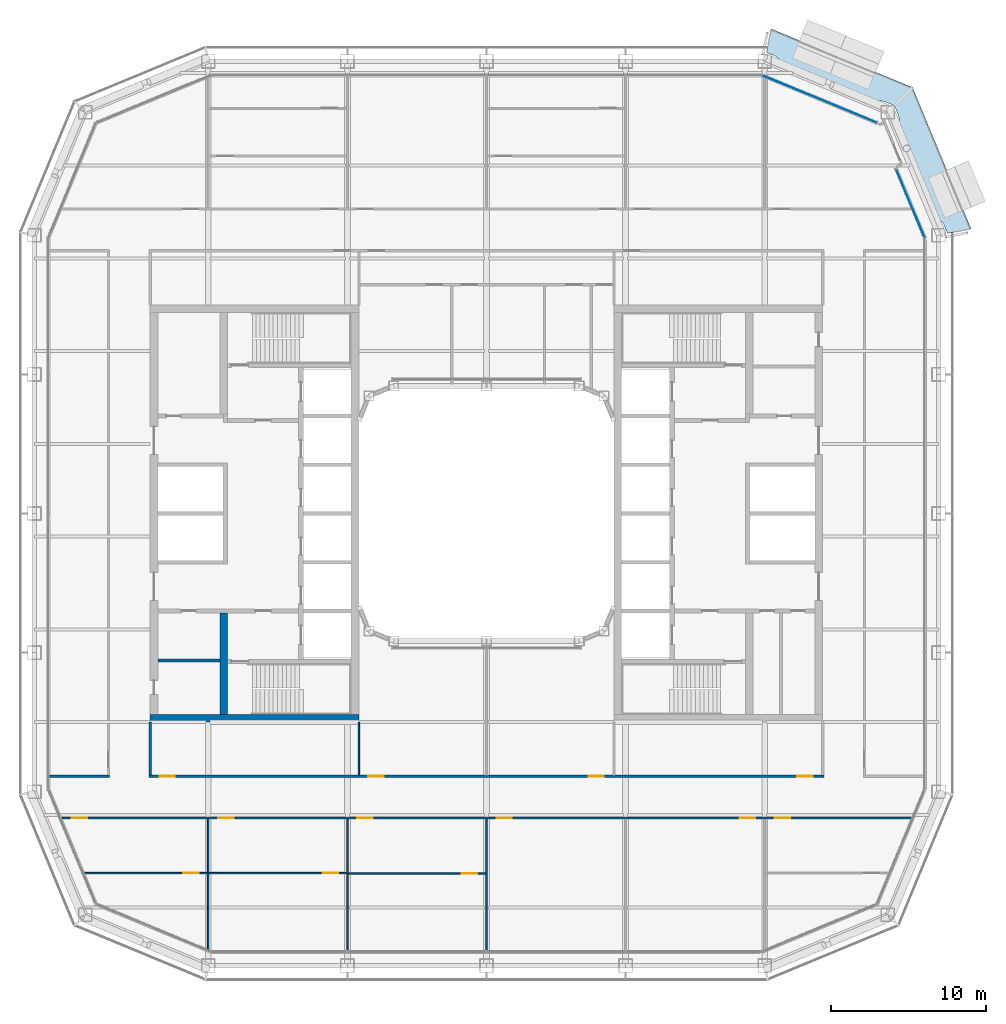
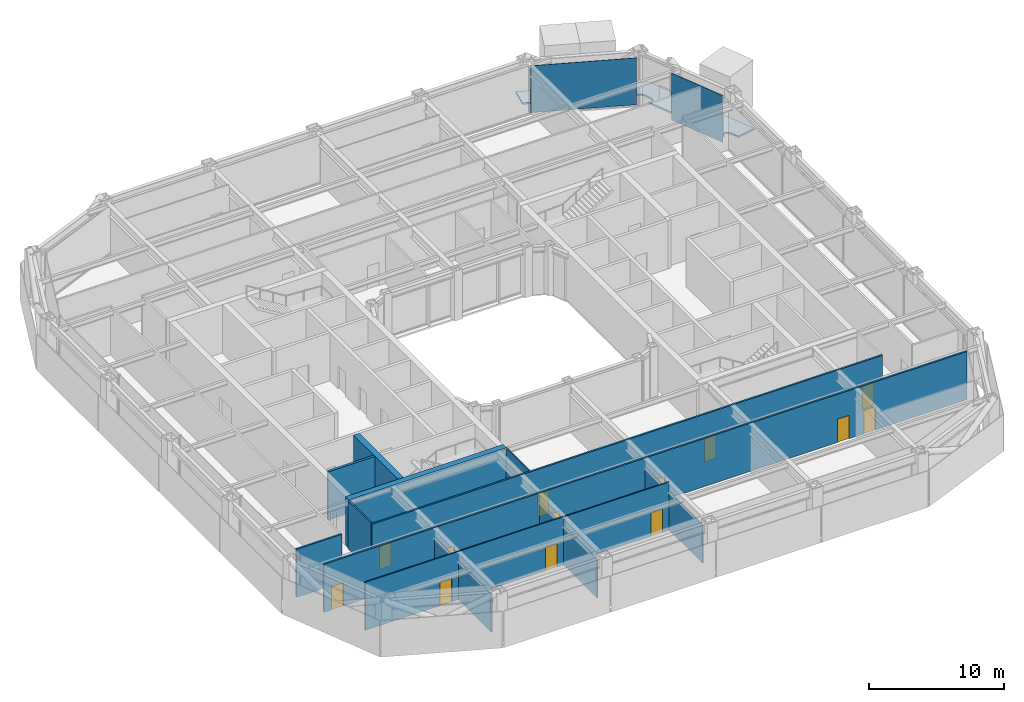
# One storey, part 11 of 24: 14 walls, 13 doors, 2 plates, 1 slab, 13 openings, 2 elements without a shape of their own.
"""IFC4 building model written with IfcOpenShell, lengths in metres."""

from ifc_helpers import new_model, si_unit, direction, frame, frame_2d, origin, origin_2d, place, context, subcontext, project, spatial, polyline, rectangle, outline, extrude, material, layer, layer_set, type_object, element, fill, aggregate, save


model = new_model("IFC4")

# Units and contexts
model_context = context("Model", 3, precision=1e-05, world=origin(), true_north=direction((0.0, 1.0)))
body_context = subcontext(model_context, "Body", "Model", "MODEL_VIEW")
ifc_project = project(units=[si_unit("LENGTHUNIT", "METRE"), si_unit("AREAUNIT", "SQUARE_METRE"), si_unit("VOLUMEUNIT", "CUBIC_METRE"), si_unit("PLANEANGLEUNIT", "RADIAN"), si_unit("MASSUNIT", "GRAM", prefix="KILO")], contexts=[model_context])

# Site, building, storey
site_placement = place(None, origin())
site = spatial("IfcSite", under=ifc_project, at=site_placement, CompositionType="ELEMENT")
building_placement = place(site_placement, origin())
building = spatial("IfcBuilding", under=site, at=building_placement, Name="Siwar Civic Tower", CompositionType="ELEMENT")
storey_placement = place(building_placement, frame((0.0, 0.0, 149.699951171875)))
storey = spatial("IfcBuildingStorey", under=building, at=storey_placement, Name="L32", CompositionType="ELEMENT", Elevation=149.699951171875)

# Slab
ifc_material_1 = material(Name="Concrete C40/50", Category="concrete")
ifc_layer_1 = layer(ifc_material_1, 0.14990234375)
ifc_layer_set_1 = layer_set([ifc_layer_1], Name="Concrete C40/50")
slab_type = type_object("IfcSlabType", Name="ENV-BALCONY DECK 150", PredefinedType="FLOOR", material=ifc_layer_set_1)
slab_placement = place(storey_placement, frame((0.0, 0.0, -0.1494140625)))
element("IfcSlab", 1, at=slab_placement, inside=storey, type_object=slab_type, Name="Tree balcony deck NE", PredefinedType="FLOOR", context=body_context, shape_type="SweptSolid", body=[
    extrude(outline(polyline([(26.43310546875, 26.263427734375), (26.435546875, 26.258056640625), (26.435546875, 26.258056640625), (26.44580078125, 26.2333984375), (26.479736328125, 26.151611328125), (26.575439453125, 25.921875), (26.585693359375, 25.897216796875), (26.589111328125, 25.88916015625), (26.58984375, 25.88720703125), (26.617431640625, 25.81494140625), (26.619140625, 25.81005859375), (26.639404296875, 25.74462890625), (26.640625, 25.740234375), (26.65673828125, 25.673583984375), (26.65771484375, 25.669189453125), (26.669921875, 25.601806640625), (26.67041015625, 25.59765625), (26.6787109375, 25.529541015625), (26.67919921875, 25.523681640625), (26.67919921875, 25.517578125), (26.6748046875, 25.406005859375), (26.674072265625, 25.397216796875), (26.672119140625, 25.388671875), (26.66015625, 25.345703125), (26.65869140625, 25.34130859375), (26.64404296875, 25.299072265625), (26.640869140625, 25.29150390625), (26.63720703125, 25.284423828125), (26.61669921875, 25.251220703125), (26.614501953125, 25.247802734375), (26.59228515625, 25.216064453125), (26.58740234375, 25.209716796875), (26.581787109375, 25.203857421875), (26.575439453125, 25.19873046875), (26.56884765625, 25.1943359375), (26.561767578125, 25.190673828125), (26.531494140625, 25.177001953125), (26.52734375, 25.17529296875), (26.496337890625, 25.16357421875), (26.488525390625, 25.1611328125), (26.480712890625, 25.159423828125), (26.47265625, 25.15869140625), (26.464599609375, 25.15869140625), (26.456787109375, 25.15966796875), (26.418701171875, 25.166259765625), (26.41455078125, 25.167236328125), (26.376708984375, 25.176025390625), (26.368896484375, 25.17822265625), (26.361328125, 25.181396484375), (26.321044921875, 25.20068359375), (26.31689453125, 25.202880859375), (26.27783203125, 25.224609375), (26.2705078125, 25.2294921875), (26.263671875, 25.23486328125), (26.246826171875, 25.25048828125), (28.949951171875, 18.724609375), (28.951904296875, 18.77490234375), (28.95263671875, 18.783447265625), (28.95458984375, 18.7919921875), (28.966552734375, 18.835205078125), (28.968017578125, 18.839599609375), (28.982666015625, 18.8818359375), (28.98583984375, 18.889404296875), (28.98974609375, 18.896484375), (29.010009765625, 18.9296875), (29.013916015625, 18.935302734375), (29.018310546875, 18.940673828125), (29.023193359375, 18.945556640625), (29.048583984375, 18.968994140625), (29.052001953125, 18.971923828125), (29.078857421875, 18.99365234375), (29.084716796875, 18.998046875), (29.0908203125, 19.001708984375), (29.097412109375, 19.0048828125), (29.104248046875, 19.00732421875), (29.111083984375, 19.009033203125), (29.118408203125, 19.01025390625), (29.15283203125, 19.013671875), (29.1572265625, 19.01416015625), (29.19189453125, 19.015625), (29.19873046875, 19.015625), (29.20556640625, 19.01513671875), (29.21240234375, 19.013671875), (29.25, 19.0048828125), (29.2578125, 19.002685546875), (29.265380859375, 18.99951171875), (29.305908203125, 18.980224609375), (29.309814453125, 18.97802734375), (29.348876953125, 18.956298828125), (29.356201171875, 18.951416015625), (29.363037109375, 18.946044921875), (29.4453125, 18.870361328125), (29.44970703125, 18.865966796875), (29.453369140625, 18.861572265625), (29.495849609375, 18.8076171875), (29.498291015625, 18.80419921875), (29.53759765625, 18.748046875), (29.5400390625, 18.744384765625), (29.575927734375, 18.68603515625), (29.578369140625, 18.681884765625), (29.610595703125, 18.62158203125), (29.61279296875, 18.616943359375), (29.64453125, 18.54638671875), (29.645263671875, 18.54443359375), (29.665771484375, 18.4951171875), (29.6845703125, 18.449951171875), (29.699951171875, 18.449951171875), (29.699951171875, 18.412841796875), (29.740966796875, 18.314697265625), (29.775146484375, 18.232666015625), (29.788818359375, 18.19970703125), (29.798828125, 18.175048828125), (29.798828125, 18.175048828125), (29.8017578125, 18.16748046875), (29.807373046875, 18.148193359375), (29.80908203125, 18.140625), (29.81005859375, 18.1328125), (29.8115234375, 18.1123046875), (29.8115234375, 18.11181640625), (31.35009765625, 18.417724609375), (27.562255859375, 27.562255859375), (18.417724609375, 31.35009765625), (18.111083984375, 29.80810546875), (18.114013671875, 29.808349609375), (18.13037109375, 29.80859375), (18.136962890625, 29.808349609375), (18.1435546875, 29.8076171875), (18.150146484375, 29.80615234375), (18.1650390625, 29.80224609375), (18.175048828125, 29.798828125), (18.19970703125, 29.788818359375), (18.279052734375, 29.755615234375), (18.314697265625, 29.740966796875), (18.412841796875, 29.699951171875), (18.449951171875, 29.699951171875), (18.449951171875, 29.6845703125), (18.4951171875, 29.665771484375), (18.54443359375, 29.645263671875), (18.54638671875, 29.64453125), (18.616943359375, 29.61279296875), (18.62158203125, 29.610595703125), (18.681884765625, 29.578369140625), (18.68603515625, 29.575927734375), (18.744384765625, 29.5400390625), (18.748046875, 29.53759765625), (18.80419921875, 29.498291015625), (18.8076171875, 29.495849609375), (18.861572265625, 29.453369140625), (18.865966796875, 29.44970703125), (18.870361328125, 29.4453125), (18.946044921875, 29.363037109375), (18.951416015625, 29.356201171875), (18.956298828125, 29.348876953125), (18.97802734375, 29.309814453125), (18.980224609375, 29.305908203125), (18.99951171875, 29.265380859375), (19.002685546875, 29.2578125), (19.0048828125, 29.25), (19.013671875, 29.21240234375), (19.01513671875, 29.20556640625), (19.015625, 29.19873046875), (19.015625, 29.19189453125), (19.01416015625, 29.1572265625), (19.013671875, 29.15283203125), (19.01025390625, 29.118408203125), (19.009033203125, 29.111083984375), (19.00732421875, 29.104248046875), (19.0048828125, 29.097412109375), (19.001708984375, 29.0908203125), (18.998046875, 29.084716796875), (18.99365234375, 29.078857421875), (18.971923828125, 29.052001953125), (18.968994140625, 29.048583984375), (18.945556640625, 29.023193359375), (18.940673828125, 29.018310546875), (18.935302734375, 29.013916015625), (18.9296875, 29.010009765625), (18.896484375, 28.98974609375), (18.889404296875, 28.98583984375), (18.8818359375, 28.982666015625), (18.839599609375, 28.968017578125), (18.835205078125, 28.966552734375), (18.7919921875, 28.95458984375), (18.783447265625, 28.95263671875), (18.77490234375, 28.951904296875), (18.724609375, 28.949951171875), (25.25048828125, 26.246826171875), (25.23486328125, 26.263671875), (25.2294921875, 26.2705078125), (25.224609375, 26.27783203125), (25.202880859375, 26.31689453125), (25.20068359375, 26.321044921875), (25.181396484375, 26.361328125), (25.17822265625, 26.368896484375), (25.176025390625, 26.376708984375), (25.167236328125, 26.41455078125), (25.166259765625, 26.418701171875), (25.15966796875, 26.456787109375), (25.15869140625, 26.464599609375), (25.15869140625, 26.47265625), (25.159423828125, 26.480712890625), (25.1611328125, 26.488525390625), (25.16357421875, 26.496337890625), (25.17529296875, 26.52734375), (25.177001953125, 26.531494140625), (25.190673828125, 26.561767578125), (25.1943359375, 26.56884765625), (25.19873046875, 26.575439453125), (25.203857421875, 26.581787109375), (25.209716796875, 26.58740234375), (25.216064453125, 26.59228515625), (25.247802734375, 26.614501953125), (25.251220703125, 26.61669921875), (25.284423828125, 26.63720703125), (25.29150390625, 26.640869140625), (25.299072265625, 26.64404296875), (25.34130859375, 26.65869140625), (25.345703125, 26.66015625), (25.388671875, 26.672119140625), (25.397216796875, 26.674072265625), (25.406005859375, 26.6748046875), (25.517578125, 26.67919921875), (25.523681640625, 26.67919921875), (25.529541015625, 26.6787109375), (25.59765625, 26.67041015625), (25.601806640625, 26.669921875), (25.669189453125, 26.65771484375), (25.673583984375, 26.65673828125), (25.740234375, 26.640625), (25.74462890625, 26.639404296875), (25.81005859375, 26.619140625), (25.81494140625, 26.617431640625), (25.88720703125, 26.58984375), (25.88916015625, 26.589111328125), (25.897216796875, 26.585693359375), (25.921875, 26.575439453125), (26.151611328125, 26.479736328125), (26.2333984375, 26.44580078125), (26.258056640625, 26.435546875), (26.267578125, 26.4306640625), (26.28076171875, 26.4228515625), (26.286376953125, 26.419189453125), (26.291748046875, 26.4150390625), (26.296630859375, 26.410400390625), (26.3017578125, 26.405029296875), (26.405029296875, 26.405029296875), (26.405029296875, 26.311279296875), (26.414306640625, 26.29833984375), (26.41748046875, 26.293701171875), (26.420166015625, 26.28857421875), (26.43310546875, 26.263427734375)])), origin(), (0.0, 0.0, 1.0), 0.1494140625),
])

# Curtain wall, plate
ifc_material_2 = material(Name="Aluminium clad insulated panel", Category="aluminium")
ifc_layer_2 = layer(ifc_material_2, 0.199951171875)
ifc_layer_set_2 = layer_set([ifc_layer_2], Name="Aluminium clad insulated panel")
curtain_wall_type = type_object("IfcCurtainWallType", Name="ENV-CW-BX", PredefinedType="NOTDEFINED", material=ifc_layer_set_2)
curtain_wall_1_placement = place(storey_placement, origin())
curtain_wall_1 = element("IfcCurtainWall", 2, at=curtain_wall_1_placement, inside=storey, type_object=curtain_wall_type, Name="Curtain wall B NE1", PredefinedType="NOTDEFINED")
ifc_material_3 = material(Name="Aluminium clad insulated panel", Category="aluminium")
ifc_layer_3 = layer(ifc_material_3, 0.033935546875)
ifc_layer_set_3 = layer_set([ifc_layer_3], Name="Aluminium clad insulated panel")
plate_type = type_object("IfcPlateType", Name="ENV-PANEL-BX", PredefinedType="CURTAIN_PANEL", material=ifc_layer_set_3)
plate_1_placement = place(storey_placement, frame((27.422607421875, 20.06005859375, 0.10986328125), z_axis=(0.0, 0.0, 1.0), x_axis=(-0.382683432365, 0.923879532511, 0.0)))
plate_1 = element("IfcPlate", 3, at=plate_1_placement, type_object=plate_type, Name="Curtain panel B NE1 1", PredefinedType="CURTAIN_PANEL", context=body_context, shape_type="SweptSolid", body=[
    extrude(rectangle(XDim=4.7822265625, YDim=0.033935546875, at=origin_2d()), origin(), (0.0, 0.0, 1.0), 4.239990234375),
])
aggregate(curtain_wall_1, [plate_1])

curtain_wall_2_placement = place(storey_placement, origin())
curtain_wall_2 = element("IfcCurtainWall", 4, at=curtain_wall_2_placement, inside=storey, type_object=curtain_wall_type, Name="Curtain wall B NE2", PredefinedType="NOTDEFINED")
plate_2_placement = place(storey_placement, frame((21.5810546875, 26.79248046875, 0.10986328125), z_axis=(0.0, 0.0, 1.0), x_axis=(-0.923879532511, 0.382683432365, 0.0)))
plate_2 = element("IfcPlate", 5, at=plate_2_placement, type_object=plate_type, Name="Curtain panel B NE2 1", PredefinedType="CURTAIN_PANEL", context=body_context, shape_type="SweptSolid", body=[
    extrude(rectangle(XDim=7.912353515625, YDim=0.033935546875, at=origin_2d()), origin(), (0.0, 0.0, 1.0), 4.239990234375),
])
aggregate(curtain_wall_2, [plate_2])

# Walls
ifc_material_4 = material(Name="Gypsum board on steel studs", Category="steel")
ifc_layer_4 = layer(ifc_material_4, 0.199951171875)
ifc_layer_set_4 = layer_set([ifc_layer_4], Name="Gypsum board on steel studs")
wall_type_1 = type_object("IfcWallType", Name="CORE-PARTITION-200", PredefinedType="PARTITIONING", material=ifc_layer_set_4)
wall_1_placement = place(storey_placement, frame((-17.25, -9.5, 0.0), z_axis=(0.0, 0.0, 1.0), x_axis=(-1.0, 0.0, 0.0)))
element("IfcWall", 6, at=wall_1_placement, inside=storey, type_object=wall_type_1, Name="Core partition W", PredefinedType="PARTITIONING", context=body_context, shape_type="SweptSolid", body=[
    extrude(rectangle(XDim=4.0, YDim=0.199951171875, at=frame_2d((2.0, 0.0))), origin(), (0.0, 0.0, 1.0), 4.35009765625),
])
ifc_material_5 = material(Name="Concrete C60/75", Category="concrete")
ifc_layer_5 = layer(ifc_material_5, 0.5)
ifc_layer_set_5 = layer_set([ifc_layer_5], Name="Concrete C60/75")
wall_type_2 = type_object("IfcWallType", Name="CORE-WALL-RC500", PredefinedType="SHEAR", material=ifc_layer_set_5)
wall_2_placement = place(storey_placement, frame((-17.0, -13.0, 0.0), z_axis=(0.0, 0.0, 1.0), x_axis=(0.0, 1.0, 0.0)))
element("IfcWall", 7, at=wall_2_placement, inside=storey, type_object=wall_type_2, Name="Core wall W", PredefinedType="SHEAR", context=body_context, shape_type="SweptSolid", body=[
    extrude(rectangle(XDim=6.574951171875, YDim=0.5, at=frame_2d((3.28759765625, 0.0))), origin(), (0.0, 0.0, 1.0), 4.35009765625),
])
wall_3_placement = place(storey_placement, frame((-8.25, -13.25, 0.0), z_axis=(0.0, 0.0, 1.0), x_axis=(-1.0, 0.0, 0.0)))
element("IfcWall", 8, at=wall_3_placement, inside=storey, type_object=wall_type_2, Name="Core wall W", PredefinedType="SHEAR", context=body_context, shape_type="SweptSolid", body=[
    extrude(rectangle(XDim=13.5, YDim=0.5, at=frame_2d((6.75, 0.0))), origin(), (0.0, 0.0, 1.0), 4.35009765625),
])

# Wall, openings, doors
ifc_material_6 = material(Name="Gypsum board on steel studs", Category="steel")
ifc_layer_6 = layer(ifc_material_6, 0.14990234375)
ifc_layer_set_6 = layer_set([ifc_layer_6], Name="Gypsum board on steel studs")
wall_type_3 = type_object("IfcWallType", Name="CORRIDOR PARTITION 150 EI 30", PredefinedType="PARTITIONING", material=ifc_layer_set_6)
wall_4_placement = place(storey_placement, frame((-27.47412109375, -19.699951171875, 0.0), z_axis=(0.0, 0.0, 1.0), x_axis=(1.0, 0.0, 0.0)))
wall_4 = element("IfcWall", 9, at=wall_4_placement, inside=storey, type_object=wall_type_3, Name="L32/wall/P04", PredefinedType="PARTITIONING", context=body_context, shape_type="SweptSolid", body=[
    extrude(rectangle(XDim=54.9482421875, YDim=0.14990234375, at=frame_2d((27.47412109375, 0.0))), origin(), (0.0, 0.0, 1.0), 4.35009765625),
])
opening_1_placement = place(wall_4_placement, frame((10.1240234375, 0.0, 0.0)))
opening_1 = element("IfcOpeningElement", 10, at=opening_1_placement, cuts=wall_4, Name="Opening D1", PredefinedType="OPENING", context=body_context, shape_type="SweptSolid", body=[
    extrude(rectangle(XDim=1.0, YDim=2.10009765625, at=frame_2d((0.5, 1.050048828125))), frame((0.0, 0.0849609375, 0.0), z_axis=(0.0, -1.0, 0.0), x_axis=(1.0, 0.0, 0.0)), (0.0, 0.0, 1.0), 0.169921875),
])
opening_2_placement = place(wall_4_placement, frame((19.1240234375, 0.0, 0.0)))
opening_2 = element("IfcOpeningElement", 11, at=opening_2_placement, cuts=wall_4, Name="Opening D1", PredefinedType="OPENING", context=body_context, shape_type="SweptSolid", body=[
    extrude(rectangle(XDim=1.0, YDim=2.10009765625, at=frame_2d((0.5, 1.050048828125))), frame((0.0, 0.0849609375, 0.0), z_axis=(0.0, -1.0, 0.0), x_axis=(1.0, 0.0, 0.0)), (0.0, 0.0, 1.0), 0.169921875),
])
opening_3_placement = place(wall_4_placement, frame((28.1240234375, 0.0, 0.0)))
opening_3 = element("IfcOpeningElement", 12, at=opening_3_placement, cuts=wall_4, Name="Opening D1", PredefinedType="OPENING", context=body_context, shape_type="SweptSolid", body=[
    extrude(rectangle(XDim=1.0, YDim=2.10009765625, at=frame_2d((0.5, 1.050048828125))), frame((0.0, 0.0849609375, 0.0), z_axis=(0.0, -1.0, 0.0), x_axis=(1.0, 0.0, 0.0)), (0.0, 0.0, 1.0), 0.169921875),
])
opening_4_placement = place(wall_4_placement, frame((43.8740234375, 0.0, 0.0)))
opening_4 = element("IfcOpeningElement", 13, at=opening_4_placement, cuts=wall_4, Name="Opening D1", PredefinedType="OPENING", context=body_context, shape_type="SweptSolid", body=[
    extrude(rectangle(XDim=1.0, YDim=2.10009765625, at=frame_2d((0.5, 1.050048828125))), frame((0.0, 0.0849609375, 0.0), z_axis=(0.0, -1.0, 0.0), x_axis=(1.0, 0.0, 0.0)), (0.0, 0.0, 1.0), 0.169921875),
])
opening_5_placement = place(wall_4_placement, frame((0.64990234375, 0.0, 0.0)))
opening_5 = element("IfcOpeningElement", 14, at=opening_5_placement, cuts=wall_4, Name="Opening D1", PredefinedType="OPENING", context=body_context, shape_type="SweptSolid", body=[
    extrude(rectangle(XDim=1.0, YDim=2.10009765625, at=frame_2d((0.5, 1.050048828125))), frame((0.0, 0.0849609375, 0.0), z_axis=(0.0, -1.0, 0.0), x_axis=(1.0, 0.0, 0.0)), (0.0, 0.0, 1.0), 0.169921875),
])
opening_6_placement = place(wall_4_placement, frame((46.1240234375, 0.0, 0.0)))
opening_6 = element("IfcOpeningElement", 15, at=opening_6_placement, cuts=wall_4, Name="Opening D1", PredefinedType="OPENING", context=body_context, shape_type="SweptSolid", body=[
    extrude(rectangle(XDim=1.0, YDim=2.10009765625, at=frame_2d((0.5, 1.050048828125))), frame((0.0, 0.0849609375, 0.0), z_axis=(0.0, -1.0, 0.0), x_axis=(1.0, 0.0, 0.0)), (0.0, 0.0, 1.0), 0.169921875),
])
ifc_material_7 = material(Name="Timber, painted", Category="wood")
door_type_1 = type_object("IfcDoorType", Name="DOOR 1000 X 2100 FD30", OperationType="SINGLE_SWING_LEFT", PredefinedType="DOOR", material=ifc_material_7)
door_1_placement = place(opening_1_placement, origin())
door_1 = element("IfcDoor", 16, at=door_1_placement, inside=storey, type_object=door_type_1, Name="L32-D09", OperationType="SINGLE_SWING_LEFT", OverallHeight=2.10009765625, OverallWidth=1.0, PredefinedType="DOOR", context=body_context, shape_type="SweptSolid", body=[
    extrude(rectangle(XDim=1.0, YDim=2.10009765625, at=frame_2d((0.5, 1.050048828125))), frame((0.0, 0.02490234375, 0.0), z_axis=(0.0, -1.0, 0.0), x_axis=(1.0, 0.0, 0.0)), (0.0, 0.0, 1.0), 0.050048828125),
])
fill(opening_1, door_1)
door_2_placement = place(opening_2_placement, origin())
door_2 = element("IfcDoor", 17, at=door_2_placement, inside=storey, type_object=door_type_1, Name="L32-D11", OperationType="SINGLE_SWING_LEFT", OverallHeight=2.10009765625, OverallWidth=1.0, PredefinedType="DOOR", context=body_context, shape_type="SweptSolid", body=[
    extrude(rectangle(XDim=1.0, YDim=2.10009765625, at=frame_2d((0.5, 1.050048828125))), frame((0.0, 0.02490234375, 0.0), z_axis=(0.0, -1.0, 0.0), x_axis=(1.0, 0.0, 0.0)), (0.0, 0.0, 1.0), 0.050048828125),
])
fill(opening_2, door_2)
door_3_placement = place(opening_3_placement, origin())
door_3 = element("IfcDoor", 18, at=door_3_placement, inside=storey, type_object=door_type_1, Name="L32-D13", OperationType="SINGLE_SWING_LEFT", OverallHeight=2.10009765625, OverallWidth=1.0, PredefinedType="DOOR", context=body_context, shape_type="SweptSolid", body=[
    extrude(rectangle(XDim=1.0, YDim=2.10009765625, at=frame_2d((0.5, 1.050048828125))), frame((0.0, 0.02490234375, 0.0), z_axis=(0.0, -1.0, 0.0), x_axis=(1.0, 0.0, 0.0)), (0.0, 0.0, 1.0), 0.050048828125),
])
fill(opening_3, door_3)
door_4_placement = place(opening_4_placement, origin())
door_4 = element("IfcDoor", 19, at=door_4_placement, inside=storey, type_object=door_type_1, Name="L32-D14", OperationType="SINGLE_SWING_RIGHT", OverallHeight=2.10009765625, OverallWidth=1.0, PredefinedType="DOOR", context=body_context, shape_type="SweptSolid", body=[
    extrude(rectangle(XDim=1.0, YDim=2.10009765625, at=frame_2d((0.5, 1.050048828125))), frame((0.0, 0.02490234375, 0.0), z_axis=(0.0, -1.0, 0.0), x_axis=(1.0, 0.0, 0.0)), (0.0, 0.0, 1.0), 0.050048828125),
])
fill(opening_4, door_4)
door_5_placement = place(opening_5_placement, origin())
door_5 = element("IfcDoor", 20, at=door_5_placement, inside=storey, type_object=door_type_1, Name="L32-D17", OperationType="SINGLE_SWING_LEFT", OverallHeight=2.10009765625, OverallWidth=1.0, PredefinedType="DOOR", context=body_context, shape_type="SweptSolid", body=[
    extrude(rectangle(XDim=1.0, YDim=2.10009765625, at=frame_2d((0.5, 1.050048828125))), frame((0.0, 0.02490234375, 0.0), z_axis=(0.0, -1.0, 0.0), x_axis=(1.0, 0.0, 0.0)), (0.0, 0.0, 1.0), 0.050048828125),
])
fill(opening_5, door_5)
door_6_placement = place(opening_6_placement, origin())
door_6 = element("IfcDoor", 21, at=door_6_placement, inside=storey, type_object=door_type_1, Name="L32-D19", OperationType="SINGLE_SWING_LEFT", OverallHeight=2.10009765625, OverallWidth=1.0, PredefinedType="DOOR", context=body_context, shape_type="SweptSolid", body=[
    extrude(rectangle(XDim=1.0, YDim=2.10009765625, at=frame_2d((0.5, 1.050048828125))), frame((0.0, 0.02490234375, 0.0), z_axis=(0.0, -1.0, 0.0), x_axis=(1.0, 0.0, 0.0)), (0.0, 0.0, 1.0), 0.050048828125),
])
fill(opening_6, door_6)

# Wall
wall_5_placement = place(storey_placement, frame((-28.260009765625, -17.0, 0.0), z_axis=(0.0, 0.0, 1.0), x_axis=(1.0, 0.0, 0.0)))
element("IfcWall", 22, at=wall_5_placement, inside=storey, type_object=wall_type_3, Name="L32/wall/P05", PredefinedType="PARTITIONING", context=body_context, shape_type="SweptSolid", body=[
    extrude(rectangle(XDim=3.885009765625, YDim=0.14990234375, at=frame_2d((1.9423828125, 0.0))), origin(), (0.0, 0.0, 1.0), 4.35009765625),
])

# Wall, openings, doors
wall_6_placement = place(storey_placement, frame((-21.824951171875, -17.0, 0.0), z_axis=(0.0, 0.0, 1.0), x_axis=(1.0, 0.0, 0.0)))
wall_6 = element("IfcWall", 23, at=wall_6_placement, inside=storey, type_object=wall_type_3, Name="L32/wall/P06", PredefinedType="PARTITIONING", context=body_context, shape_type="SweptSolid", body=[
    extrude(rectangle(XDim=43.64990234375, YDim=0.14990234375, at=frame_2d((21.824951171875, 0.0))), origin(), (0.0, 0.0, 1.0), 4.35009765625),
])
opening_7_placement = place(wall_6_placement, frame((14.175048828125, 0.0, 0.0)))
opening_7 = element("IfcOpeningElement", 24, at=opening_7_placement, cuts=wall_6, Name="Opening D1", PredefinedType="OPENING", context=body_context, shape_type="SweptSolid", body=[
    extrude(rectangle(XDim=1.0, YDim=2.10009765625, at=frame_2d((0.5, 1.050048828125))), frame((0.0, 0.0849609375, 0.0), z_axis=(0.0, -1.0, 0.0), x_axis=(1.0, 0.0, 0.0)), (0.0, 0.0, 1.0), 0.169921875),
])
opening_8_placement = place(wall_6_placement, frame((28.425048828125, 0.0, 0.0)))
opening_8 = element("IfcOpeningElement", 25, at=opening_8_placement, cuts=wall_6, Name="Opening D1", PredefinedType="OPENING", context=body_context, shape_type="SweptSolid", body=[
    extrude(rectangle(XDim=1.0, YDim=2.10009765625, at=frame_2d((0.5, 1.050048828125))), frame((0.0, 0.0849609375, 0.0), z_axis=(0.0, -1.0, 0.0), x_axis=(1.0, 0.0, 0.0)), (0.0, 0.0, 1.0), 0.169921875),
])
opening_9_placement = place(wall_6_placement, frame((0.675048828125, 0.0, 0.0)))
opening_9 = element("IfcOpeningElement", 26, at=opening_9_placement, cuts=wall_6, Name="Opening D1", PredefinedType="OPENING", context=body_context, shape_type="SweptSolid", body=[
    extrude(rectangle(XDim=1.0, YDim=2.10009765625, at=frame_2d((0.5, 1.050048828125))), frame((0.0, 0.0849609375, 0.0), z_axis=(0.0, -1.0, 0.0), x_axis=(1.0, 0.0, 0.0)), (0.0, 0.0, 1.0), 0.169921875),
])
opening_10_placement = place(wall_6_placement, frame((41.925048828125, 0.0, 0.0)))
opening_10 = element("IfcOpeningElement", 27, at=opening_10_placement, cuts=wall_6, Name="Opening D1", PredefinedType="OPENING", context=body_context, shape_type="SweptSolid", body=[
    extrude(rectangle(XDim=1.0, YDim=2.10009765625, at=frame_2d((0.5, 1.050048828125))), frame((0.0, 0.0849609375, 0.0), z_axis=(0.0, -1.0, 0.0), x_axis=(1.0, 0.0, 0.0)), (0.0, 0.0, 1.0), 0.169921875),
])
door_7_placement = place(opening_7_placement, origin())
door_7 = element("IfcDoor", 28, at=door_7_placement, inside=storey, type_object=door_type_1, Name="L32-D26", OperationType="SINGLE_SWING_RIGHT", OverallHeight=2.10009765625, OverallWidth=1.0, PredefinedType="DOOR", context=body_context, shape_type="SweptSolid", body=[
    extrude(rectangle(XDim=1.0, YDim=2.10009765625, at=frame_2d((0.5, 1.050048828125))), frame((0.0, 0.02490234375, 0.0), z_axis=(0.0, -1.0, 0.0), x_axis=(1.0, 0.0, 0.0)), (0.0, 0.0, 1.0), 0.050048828125),
])
fill(opening_7, door_7)
door_8_placement = place(opening_8_placement, origin())
door_8 = element("IfcDoor", 29, at=door_8_placement, inside=storey, type_object=door_type_1, Name="L32-D27", OperationType="SINGLE_SWING_LEFT", OverallHeight=2.10009765625, OverallWidth=1.0, PredefinedType="DOOR", context=body_context, shape_type="SweptSolid", body=[
    extrude(rectangle(XDim=1.0, YDim=2.10009765625, at=frame_2d((0.5, 1.050048828125))), frame((0.0, 0.02490234375, 0.0), z_axis=(0.0, -1.0, 0.0), x_axis=(1.0, 0.0, 0.0)), (0.0, 0.0, 1.0), 0.050048828125),
])
fill(opening_8, door_8)
door_9_placement = place(opening_9_placement, origin())
door_9 = element("IfcDoor", 30, at=door_9_placement, inside=storey, type_object=door_type_1, Name="L32-D30", OperationType="SINGLE_SWING_RIGHT", OverallHeight=2.10009765625, OverallWidth=1.0, PredefinedType="DOOR", context=body_context, shape_type="SweptSolid", body=[
    extrude(rectangle(XDim=1.0, YDim=2.10009765625, at=frame_2d((0.5, 1.050048828125))), frame((0.0, 0.02490234375, 0.0), z_axis=(0.0, -1.0, 0.0), x_axis=(1.0, 0.0, 0.0)), (0.0, 0.0, 1.0), 0.050048828125),
])
fill(opening_9, door_9)
door_10_placement = place(opening_10_placement, origin())
door_10 = element("IfcDoor", 31, at=door_10_placement, inside=storey, type_object=door_type_1, Name="L32-D31", OperationType="SINGLE_SWING_LEFT", OverallHeight=2.10009765625, OverallWidth=1.0, PredefinedType="DOOR", context=body_context, shape_type="SweptSolid", body=[
    extrude(rectangle(XDim=1.0, YDim=2.10009765625, at=frame_2d((0.5, 1.050048828125))), frame((0.0, 0.02490234375, 0.0), z_axis=(0.0, -1.0, 0.0), x_axis=(1.0, 0.0, 0.0)), (0.0, 0.0, 1.0), 0.050048828125),
])
fill(opening_10, door_10)

# Wall
wall_7_placement = place(storey_placement, frame((-21.75, -16.925048828125, 0.0), z_axis=(0.0, 0.0, 1.0), x_axis=(0.0, 1.0, 0.0)))
element("IfcWall", 32, at=wall_7_placement, inside=storey, type_object=wall_type_3, Name="L32/wall/P19", PredefinedType="PARTITIONING", context=body_context, shape_type="SweptSolid", body=[
    extrude(rectangle(XDim=3.425048828125, YDim=0.14990234375, at=frame_2d((1.71240234375, 0.0))), origin(), (0.0, 0.0, 1.0), 4.35009765625),
])

# Wall, opening, door
ifc_material_8 = material(Name="Gypsum board on steel studs", Category="steel")
ifc_layer_7 = layer(ifc_material_8, 0.10009765625)
ifc_layer_set_7 = layer_set([ifc_layer_7], Name="Gypsum board on steel studs")
wall_type_4 = type_object("IfcWallType", Name="PARTITION 100 GYPSUM", PredefinedType="PARTITIONING", material=ifc_layer_set_7)
wall_8_placement = place(storey_placement, frame((-8.949951171875, -23.294921875, 0.0), z_axis=(0.0, 0.0, 1.0), x_axis=(1.0, 0.0, 0.0)))
wall_8 = element("IfcWall", 33, at=wall_8_placement, inside=storey, type_object=wall_type_4, Name="L32/wall/P01", PredefinedType="PARTITIONING", context=body_context, shape_type="SweptSolid", body=[
    extrude(rectangle(XDim=8.89990234375, YDim=0.10009765625, at=frame_2d((4.449951171875, 0.0))), origin(), (0.0, 0.0, 1.0), 4.35009765625),
])
opening_11_placement = place(wall_8_placement, frame((7.35009765625, 0.0, 0.0)))
opening_11 = element("IfcOpeningElement", 34, at=opening_11_placement, cuts=wall_8, Name="Opening D2", PredefinedType="OPENING", context=body_context, shape_type="SweptSolid", body=[
    extrude(rectangle(XDim=1.0, YDim=2.10009765625, at=frame_2d((0.5, 1.050048828125))), frame((0.0, 0.06005859375, 0.0), z_axis=(0.0, -1.0, 0.0), x_axis=(1.0, 0.0, 0.0)), (0.0, 0.0, 1.0), 0.1201171875),
])
ifc_material_9 = material(Name="Timber, painted", Category="wood")
door_type_2 = type_object("IfcDoorType", Name="DOOR 1000 X 2100", OperationType="SINGLE_SWING_LEFT", PredefinedType="DOOR", material=ifc_material_9)
door_11_placement = place(opening_11_placement, origin())
door_11 = element("IfcDoor", 35, at=door_11_placement, inside=storey, type_object=door_type_2, Name="L32-D12", OperationType="SINGLE_SWING_RIGHT", OverallHeight=2.10009765625, OverallWidth=1.0, PredefinedType="DOOR", context=body_context, shape_type="SweptSolid", body=[
    extrude(rectangle(XDim=1.0, YDim=2.10009765625, at=frame_2d((0.5, 1.050048828125))), frame((0.0, 0.02490234375, 0.0), z_axis=(0.0, -1.0, 0.0), x_axis=(1.0, 0.0, 0.0)), (0.0, 0.0, 1.0), 0.050048828125),
])
fill(opening_11, door_11)

# Wall, openings, doors
wall_9_placement = place(storey_placement, frame((-25.9990234375, -23.260986328125, 0.0), z_axis=(0.0, 0.0, 1.0), x_axis=(1.0, 0.0, 0.0)))
wall_9 = element("IfcWall", 36, at=wall_9_placement, inside=storey, type_object=wall_type_4, Name="L32/wall/P02", PredefinedType="PARTITIONING", context=body_context, shape_type="SweptSolid", body=[
    extrude(rectangle(XDim=16.948974609375, YDim=0.10009765625, at=frame_2d((8.474609375, 0.0))), origin(), (0.0, 0.0, 1.0), 4.35009765625),
])
opening_12_placement = place(wall_9_placement, frame((15.39892578125, 0.0, 0.0)))
opening_12 = element("IfcOpeningElement", 37, at=opening_12_placement, cuts=wall_9, Name="Opening D2", PredefinedType="OPENING", context=body_context, shape_type="SweptSolid", body=[
    extrude(rectangle(XDim=1.0, YDim=2.10009765625, at=frame_2d((0.5, 1.050048828125))), frame((0.0, 0.06005859375, 0.0), z_axis=(0.0, -1.0, 0.0), x_axis=(1.0, 0.0, 0.0)), (0.0, 0.0, 1.0), 0.1201171875),
])
opening_13_placement = place(wall_9_placement, frame((6.39990234375, 0.0, 0.0)))
opening_13 = element("IfcOpeningElement", 38, at=opening_13_placement, cuts=wall_9, Name="Opening D2", PredefinedType="OPENING", context=body_context, shape_type="SweptSolid", body=[
    extrude(rectangle(XDim=1.0, YDim=2.10009765625, at=frame_2d((0.5, 1.050048828125))), frame((0.0, 0.06005859375, 0.0), z_axis=(0.0, -1.0, 0.0), x_axis=(1.0, 0.0, 0.0)), (0.0, 0.0, 1.0), 0.1201171875),
])
door_12_placement = place(opening_12_placement, origin())
door_12 = element("IfcDoor", 39, at=door_12_placement, inside=storey, type_object=door_type_2, Name="L32-D10", OperationType="SINGLE_SWING_RIGHT", OverallHeight=2.10009765625, OverallWidth=1.0, PredefinedType="DOOR", context=body_context, shape_type="SweptSolid", body=[
    extrude(rectangle(XDim=1.0, YDim=2.10009765625, at=frame_2d((0.5, 1.050048828125))), frame((0.0, 0.02490234375, 0.0), z_axis=(0.0, -1.0, 0.0), x_axis=(1.0, 0.0, 0.0)), (0.0, 0.0, 1.0), 0.050048828125),
])
fill(opening_12, door_12)
door_13_placement = place(opening_13_placement, origin())
door_13 = element("IfcDoor", 40, at=door_13_placement, inside=storey, type_object=door_type_2, Name="L32-D18", OperationType="SINGLE_SWING_RIGHT", OverallHeight=2.10009765625, OverallWidth=1.0, PredefinedType="DOOR", context=body_context, shape_type="SweptSolid", body=[
    extrude(rectangle(XDim=1.0, YDim=2.10009765625, at=frame_2d((0.5, 1.050048828125))), frame((0.0, 0.02490234375, 0.0), z_axis=(0.0, -1.0, 0.0), x_axis=(1.0, 0.0, 0.0)), (0.0, 0.0, 1.0), 0.050048828125),
])
fill(opening_13, door_13)

# Walls
wall_10_placement = place(storey_placement, frame((-18.0, -28.177978515625, 0.0), z_axis=(0.0, 0.0, 1.0), x_axis=(0.0, 1.0, 0.0)))
element("IfcWall", 41, at=wall_10_placement, inside=storey, type_object=wall_type_4, Name="L32/wall/P21", PredefinedType="PARTITIONING", context=body_context, shape_type="SweptSolid", body=[
    extrude(rectangle(XDim=4.866943359375, YDim=0.10009765625, at=frame_2d((2.43359375, 0.0))), origin(), (0.0, 0.0, 1.0), 3.449951171875),
])
wall_11_placement = place(storey_placement, frame((-18.0, -23.2109375, 0.0), z_axis=(0.0, 0.0, 1.0), x_axis=(0.0, 1.0, 0.0)))
element("IfcWall", 42, at=wall_11_placement, inside=storey, type_object=wall_type_4, Name="L32/wall/P22", PredefinedType="PARTITIONING", context=body_context, shape_type="SweptSolid", body=[
    extrude(rectangle(XDim=3.43603515625, YDim=0.10009765625, at=frame_2d((1.718017578125, 0.0))), origin(), (0.0, 0.0, 1.0), 3.449951171875),
])
wall_12_placement = place(storey_placement, frame((-9.0, -28.260009765625, 0.0), z_axis=(0.0, 0.0, 1.0), x_axis=(0.0, 1.0, 0.0)))
element("IfcWall", 43, at=wall_12_placement, inside=storey, type_object=wall_type_4, Name="L32/wall/P24", PredefinedType="PARTITIONING", context=body_context, shape_type="SweptSolid", body=[
    extrude(rectangle(XDim=8.485107421875, YDim=0.10009765625, at=frame_2d((4.24267578125, 0.0))), origin(), (0.0, 0.0, 1.0), 3.449951171875),
])
wall_13_placement = place(storey_placement, frame((-8.25, -16.925048828125, 0.0), z_axis=(0.0, 0.0, 1.0), x_axis=(0.0, 1.0, 0.0)))
element("IfcWall", 44, at=wall_13_placement, inside=storey, type_object=wall_type_4, Name="L32/wall/P26", PredefinedType="PARTITIONING", context=body_context, shape_type="SweptSolid", body=[
    extrude(rectangle(XDim=3.425048828125, YDim=0.10009765625, at=frame_2d((1.71240234375, 0.0))), origin(), (0.0, 0.0, 1.0), 4.35009765625),
])
wall_14_placement = place(storey_placement, frame((0.0, -28.260009765625, 0.0), z_axis=(0.0, 0.0, 1.0), x_axis=(0.0, 1.0, 0.0)))
element("IfcWall", 45, at=wall_14_placement, inside=storey, type_object=wall_type_4, Name="L32/wall/P29", PredefinedType="PARTITIONING", context=body_context, shape_type="SweptSolid", body=[
    extrude(rectangle(XDim=8.485107421875, YDim=0.10009765625, at=frame_2d((4.24267578125, 0.0))), origin(), (0.0, 0.0, 1.0), 3.449951171875),
])

save(model, "model.ifc")
